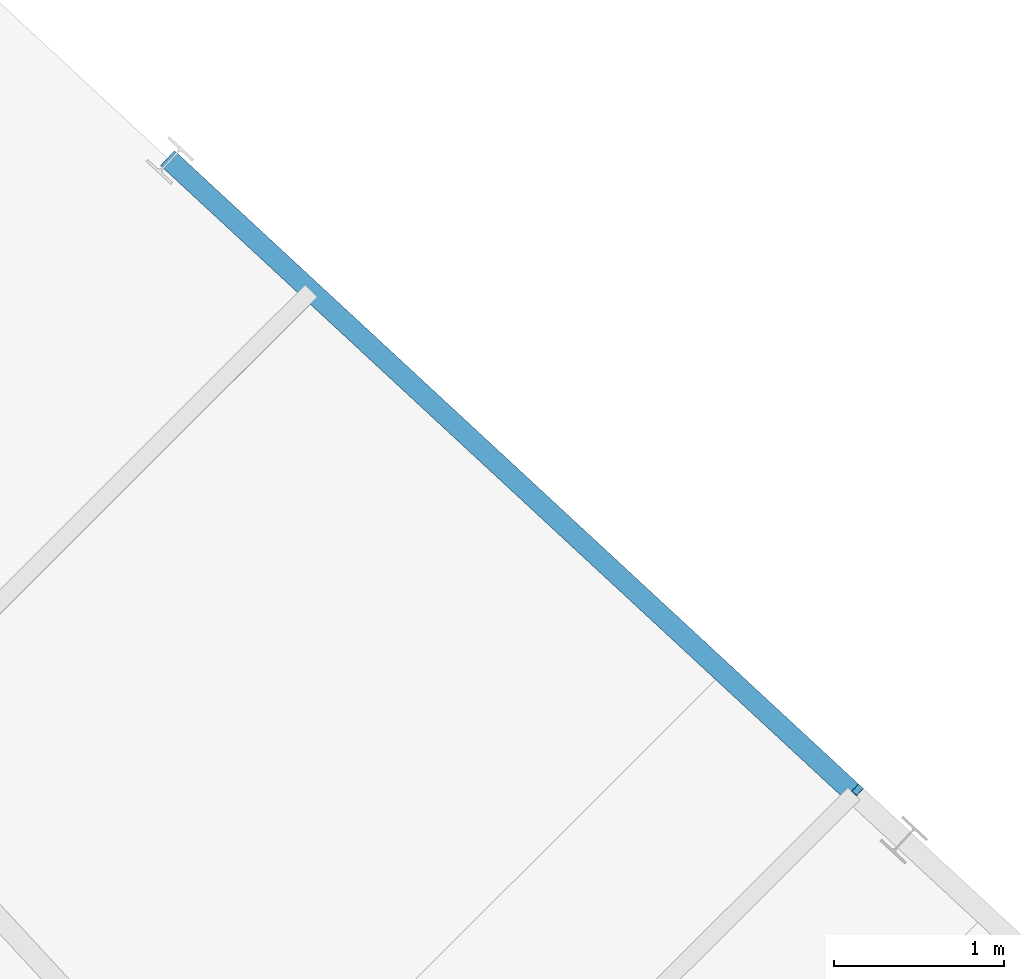
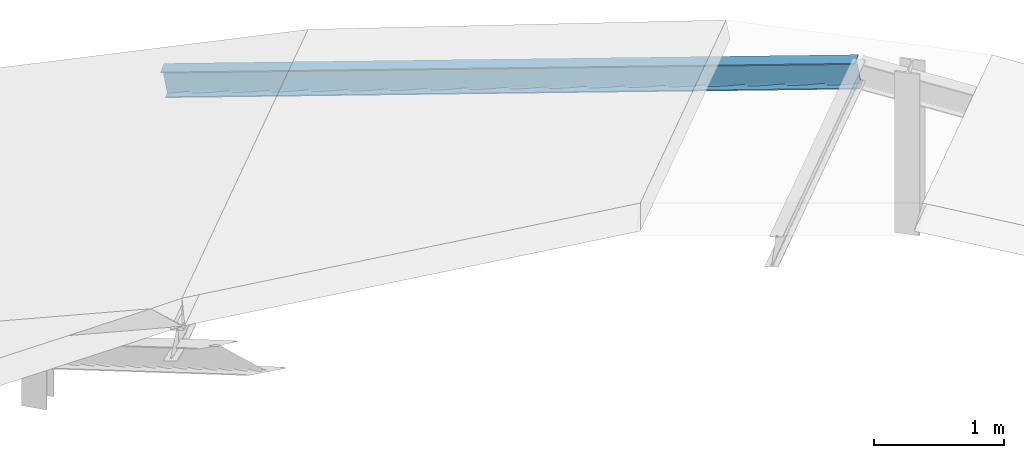
# One storey, part 22 of 50: 1 beam.
"""IFC4 building model written with IfcOpenShell, lengths in metres."""

from ifc_helpers import new_model, si_unit, direction, frame, origin, origin_2d, place, context, subcontext, project, spatial, i_section, extrude, material, material_profile, profile_set, type_object, element, save


model = new_model("IFC4")

# Units and contexts
model_context = context("Model", 3, precision=1e-05, world=origin(), true_north=direction((0.0, 1.0)))
body_context = subcontext(model_context, "Body", "Model", "MODEL_VIEW")
ifc_project = project(units=[si_unit("LENGTHUNIT", "METRE"), si_unit("AREAUNIT", "SQUARE_METRE"), si_unit("VOLUMEUNIT", "CUBIC_METRE"), si_unit("PLANEANGLEUNIT", "RADIAN"), si_unit("MASSUNIT", "GRAM", prefix="KILO")], contexts=[model_context])

# Site, building, storey
site_placement = place(None, origin())
site = spatial("IfcSite", under=ifc_project, at=site_placement, CompositionType="ELEMENT")
building_placement = place(site_placement, origin())
building = spatial("IfcBuilding", under=site, at=building_placement, Name="Zimvara Arc Housing Community", CompositionType="ELEMENT")
storey_placement = place(building_placement, frame((0.0, 0.0, 26.699951171875)))
storey = spatial("IfcBuildingStorey", under=building, at=storey_placement, Name="L08", CompositionType="ELEMENT", Elevation=26.699951171875)

# Beam
ifc_material = material(Name="Steel S355", Category="steel")
ifc_material_profile = material_profile(ifc_material, i_section(OverallWidth=0.1201171875, OverallDepth=0.239990234375, WebThickness=0.006103515625, FlangeThickness=0.009765625, FilletRadius=0.014892578125, at=origin_2d()), Name="IPE 240")
ifc_profile_set = profile_set([ifc_material_profile], Name="Steel S355")
beam_type = type_object("IfcBeamType", Name="BM-ST-IPE240", PredefinedType="JOIST", material=ifc_profile_set)
beam_placement = place(storey_placement, frame((161.140380859375, 77.30126953125, 0.462646484375), z_axis=(0.723323101603, -0.669828199802, 0.167731551704), x_axis=(0.679454226785, 0.733717897903, 0.0)))
element("IfcBeam", 1, at=beam_placement, inside=storey, type_object=beam_type, Name="bm:blkD:L08:rf_in:g10", PredefinedType="JOIST", context=body_context, shape_type="SweptSolid", body=[
    extrude(i_section(OverallWidth=0.1201171875, OverallDepth=0.239990234375, WebThickness=0.006103515625, FlangeThickness=0.009765625, FilletRadius=0.014892578125, at=origin_2d()), origin(), (0.0, 0.0, 1.0), 5.558837890625),
])

save(model, "model.ifc")
